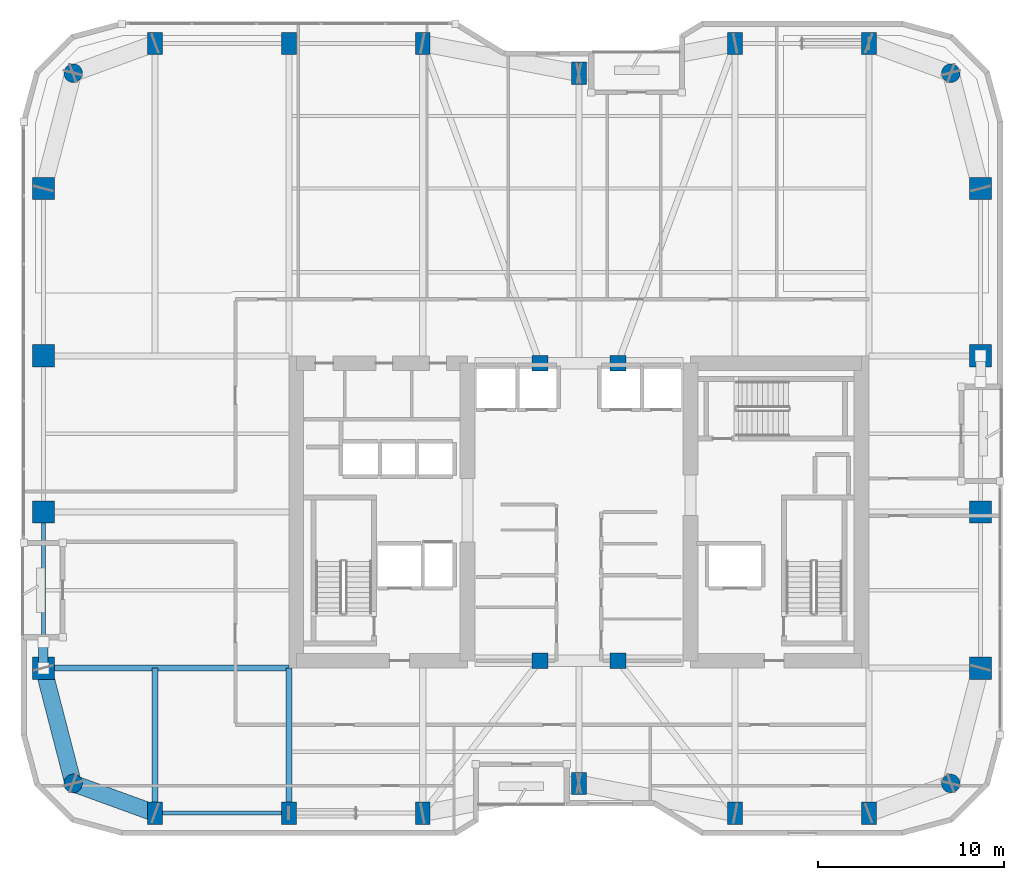
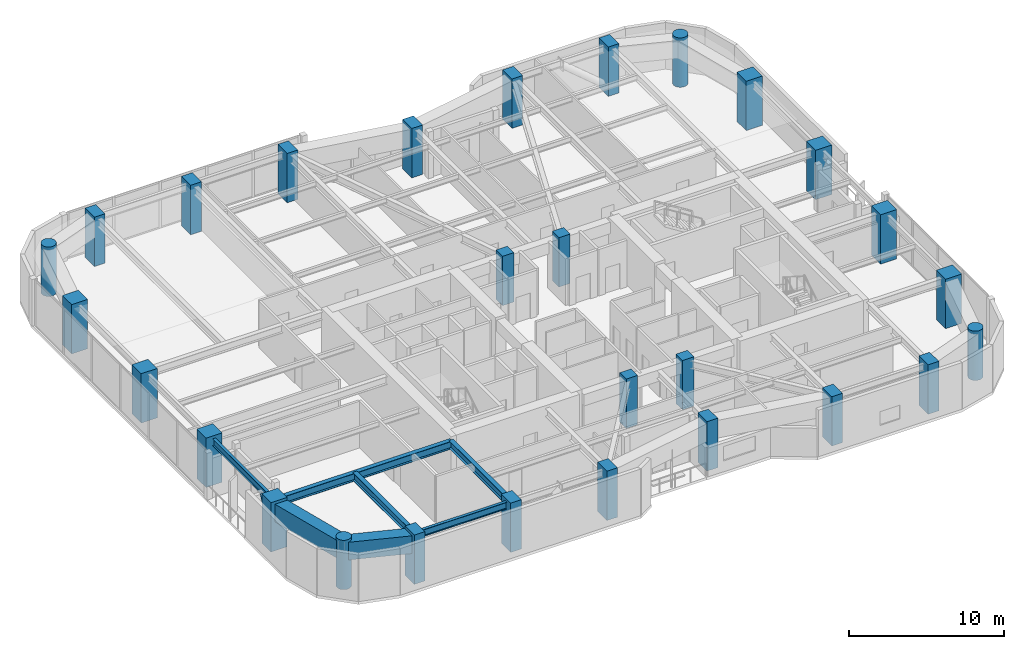
# One storey, part 1 of 30: 28 columns, 7 beams, 1 member.
"""IFC4 building model written with IfcOpenShell, lengths in metres."""

from ifc_helpers import new_model, si_unit, direction, frame, origin, origin_2d, place, context, subcontext, project, spatial, rectangle, hollow_rectangle, circle, hollow_circle, i_section, extrude, material, material_profile, profile_set, type_object, element, save


model = new_model("IFC4")

# Units and contexts
model_context = context("Model", 3, precision=1e-05, world=origin(), true_north=direction((0.0, 1.0)))
body_context = subcontext(model_context, "Body", "Model", "MODEL_VIEW")
ifc_project = project(units=[si_unit("LENGTHUNIT", "METRE"), si_unit("AREAUNIT", "SQUARE_METRE"), si_unit("VOLUMEUNIT", "CUBIC_METRE"), si_unit("PLANEANGLEUNIT", "RADIAN"), si_unit("MASSUNIT", "GRAM", prefix="KILO")], contexts=[model_context])

# Site, building, storey
site_placement = place(None, origin())
site = spatial("IfcSite", under=ifc_project, at=site_placement, CompositionType="ELEMENT")
building_placement = place(site_placement, origin())
building = spatial("IfcBuilding", under=site, at=building_placement, Name="Kiyonajd Concourse Tower", CompositionType="ELEMENT")
storey_placement = place(building_placement, frame((0.0, 0.0, 174.0)))
storey = spatial("IfcBuildingStorey", under=building, at=storey_placement, Name="L44", CompositionType="ELEMENT", Elevation=174.0)

# Columns
ifc_material_1 = material(Name="Concrete C70/85", Category="concrete")
ifc_material_profile_1 = material_profile(ifc_material_1, rectangle(XDim=0.800048828125, YDim=1.199951171875, at=origin_2d()), Name="RC-1200x800")
ifc_profile_set_1 = profile_set([ifc_material_profile_1], Name="Concrete C70/85")
column_type_1 = type_object("IfcColumnType", Name="CL-BLADE-1200", PredefinedType="COLUMN", material=ifc_profile_set_1)
for number, where, z_axis, x_axis, name in (
    (1, (25.199951171875, 19.800048828125, 0.0), (0.0, 0.0, 1.0), (1.0, 0.0, 0.0), "L44 Perimeter Bundled Tube Column"),
    (2, (25.199951171875, 61.199951171875, 0.0), (0.0, 0.0, 1.0), (1.0, 0.0, 0.0), "L44 Perimeter Bundled Tube Column"),
    (3, (32.39990234375, 19.800048828125, 0.0), (0.0, 0.0, 1.0), (1.0, 0.0, 0.0), "L44 Perimeter Bundled Tube Column"),
    (4, (32.39990234375, 61.199951171875, 0.0), (0.0, 0.0, 1.0), (1.0, 0.0, 0.0), "L44 Perimeter Bundled Tube Column"),
    (5, (39.60009765625, 19.800048828125, 0.0), (0.0, 0.0, 1.0), (1.0, 0.0, 0.0), "L44 Perimeter Bundled Tube Column"),
    (6, (39.60009765625, 61.199951171875, 0.0), (0.0, 0.0, 1.0), (1.0, 0.0, 0.0), "L44 Perimeter Bundled Tube Column"),
    (7, (48.0, 21.39990234375, 0.0), (0.0, 0.0, 1.0), (1.0, 0.0, 0.0), "L44 Perimeter Bundled Tube Column"),
    (8, (48.0, 59.60009765625, 0.0), (0.0, 0.0, 1.0), (1.0, 0.0, 0.0), "L44 Perimeter Bundled Tube Column"),
    (9, (56.39990234375, 19.800048828125, 0.0), (0.0, 0.0, 1.0), (1.0, 0.0, 0.0), "L44 Perimeter Bundled Tube Column"),
    (10, (56.39990234375, 61.199951171875, 0.0), (0.0, 0.0, 1.0), (1.0, 0.0, 0.0), "L44 Perimeter Bundled Tube Column"),
    (11, (63.60009765625, 19.800048828125, 0.0), (0.0, 0.0, 1.0), (1.0, 0.0, 0.0), "L44 Perimeter Bundled Tube Column"),
    (12, (63.60009765625, 61.199951171875, 0.0), (0.0, 0.0, 1.0), (1.0, 0.0, 0.0), "L44 Perimeter Bundled Tube Column"),
):
    element("IfcColumn", number, at=place(storey_placement, frame(where, z_axis=z_axis, x_axis=x_axis)), inside=storey, type_object=column_type_1, Name=name, PredefinedType="COLUMN", context=body_context, shape_type="SweptSolid", body=[
        extrude(rectangle(XDim=0.800048828125, YDim=1.199951171875, at=origin_2d()), origin(), (0.0, 0.0, 1.0), 3.89990234375),
    ])
ifc_material_2 = material(Name="Concrete C60/75", Category="concrete")
ifc_material_profile_2 = material_profile(ifc_material_2, circle(Radius=0.5, at=origin_2d()), Name="RCC-D1000")
ifc_profile_set_2 = profile_set([ifc_material_profile_2], Name="Concrete C60/75")
column_type_2 = type_object("IfcColumnType", Name="CL-RND-1000", PredefinedType="COLUMN", material=ifc_profile_set_2)
for number, where, z_axis, x_axis, name in (
    (13, (20.800048828125, 21.39990234375, 0.0), (0.0, 0.0, 1.0), (1.0, 0.0, 0.0), "L44 Bundled Tube Corner Column South West"),
    (14, (68.0, 21.39990234375, 0.0), (0.0, 0.0, 1.0), (1.0, 0.0, 0.0), "L44 Bundled Tube Corner Column South East"),
    (15, (68.0, 59.60009765625, 0.0), (0.0, 0.0, 1.0), (1.0, 0.0, 0.0), "L44 Bundled Tube Corner Column North East"),
    (16, (20.800048828125, 59.60009765625, 0.0), (0.0, 0.0, 1.0), (1.0, 0.0, 0.0), "L44 Bundled Tube Corner Column North West"),
):
    element("IfcColumn", number, at=place(storey_placement, frame(where, z_axis=z_axis, x_axis=x_axis)), inside=storey, type_object=column_type_2, Name=name, PredefinedType="COLUMN", context=body_context, shape_type="SweptSolid", body=[
        extrude(circle(Radius=0.5, at=origin_2d()), origin(), (0.0, 0.0, 1.0), 3.89990234375),
    ])
ifc_material_profile_3 = material_profile(ifc_material_1, rectangle(XDim=1.199951171875, YDim=1.199951171875, at=origin_2d()), Name="RC-1200x1200")
ifc_profile_set_3 = profile_set([ifc_material_profile_3], Name="Concrete C70/85")
column_type_3 = type_object("IfcColumnType", Name="CL-TUBE-1200", PredefinedType="COLUMN", material=ifc_profile_set_3)
for number, where, z_axis, x_axis, name in (
    (17, (19.199951171875, 27.60009765625, 0.0), (0.0, 0.0, 1.0), (1.0, 0.0, 0.0), "L44 Perimeter Bundled Tube Column"),
    (18, (69.60009765625, 27.60009765625, 0.0), (0.0, 0.0, 1.0), (1.0, 0.0, 0.0), "L44 Perimeter Bundled Tube Column"),
    (19, (19.199951171875, 36.0, 0.0), (0.0, 0.0, 1.0), (1.0, 0.0, 0.0), "L44 Perimeter Bundled Tube Column"),
    (20, (69.60009765625, 36.0, 0.0), (0.0, 0.0, 1.0), (1.0, 0.0, 0.0), "L44 Perimeter Bundled Tube Column"),
    (21, (19.199951171875, 44.39990234375, 0.0), (0.0, 0.0, 1.0), (1.0, 0.0, 0.0), "L44 Perimeter Bundled Tube Column"),
    (22, (69.60009765625, 44.39990234375, 0.0), (0.0, 0.0, 1.0), (1.0, 0.0, 0.0), "L44 Perimeter Bundled Tube Column"),
    (23, (19.199951171875, 53.39990234375, 0.0), (0.0, 0.0, 1.0), (1.0, 0.0, 0.0), "L44 Perimeter Bundled Tube Column"),
    (24, (69.60009765625, 53.39990234375, 0.0), (0.0, 0.0, 1.0), (1.0, 0.0, 0.0), "L44 Perimeter Bundled Tube Column"),
):
    element("IfcColumn", number, at=place(storey_placement, frame(where, z_axis=z_axis, x_axis=x_axis)), inside=storey, type_object=column_type_3, Name=name, PredefinedType="COLUMN", context=body_context, shape_type="SweptSolid", body=[
        extrude(rectangle(XDim=1.199951171875, YDim=1.199951171875, at=origin_2d()), origin(), (0.0, 0.0, 1.0), 3.89990234375),
    ])
ifc_material_profile_4 = material_profile(ifc_material_2, rectangle(XDim=0.85009765625, YDim=0.85009765625, at=origin_2d()), Name="RC-850x850")
ifc_profile_set_4 = profile_set([ifc_material_profile_4], Name="Concrete C60/75")
column_type_4 = type_object("IfcColumnType", Name="CL-TUBE-850", PredefinedType="COLUMN", material=ifc_profile_set_4)
for number, where, z_axis, x_axis, name in (
    (25, (45.89990234375, 28.0, 0.0), (0.0, 0.0, 1.0), (1.0, 0.0, 0.0), "L44 Core Tie Column South West"),
    (26, (50.10009765625, 28.0, 0.0), (0.0, 0.0, 1.0), (1.0, 0.0, 0.0), "L44 Core Tie Column South East"),
    (27, (45.89990234375, 44.0, 0.0), (0.0, 0.0, 1.0), (1.0, 0.0, 0.0), "L44 Core Tie Column North West"),
    (28, (50.10009765625, 44.0, 0.0), (0.0, 0.0, 1.0), (1.0, 0.0, 0.0), "L44 Core Tie Column North East"),
):
    element("IfcColumn", number, at=place(storey_placement, frame(where, z_axis=z_axis, x_axis=x_axis)), inside=storey, type_object=column_type_4, Name=name, PredefinedType="COLUMN", context=body_context, shape_type="SweptSolid", body=[
        extrude(rectangle(XDim=0.85009765625, YDim=0.85009765625, at=origin_2d()), origin(), (0.0, 0.0, 1.0), 3.89990234375),
    ])

# Beams
ifc_material_3 = material(Name="Steel ASTM A992 Grade 50", Category="steel")
ifc_material_profile_5 = material_profile(ifc_material_3, i_section(OverallWidth=0.214111328125, OverallDepth=0.549072265625, WebThickness=0.0146484375, FlangeThickness=0.023681640625, at=origin_2d()), Name="W530X138")
ifc_profile_set_5 = profile_set([ifc_material_profile_5], Name="Steel ASTM A992 Grade 50")
beam_type_1 = type_object("IfcBeamType", Name="BM-SPAN-530A", PredefinedType="SPANDREL", material=ifc_profile_set_5)
beam_1_placement = place(storey_placement, frame((25.199951171875, 19.800048828125, 3.405517578125), z_axis=(1.0, 0.0, 0.0), x_axis=(0.0, 1.0, 0.0)))
element("IfcBeam", 29, at=beam_1_placement, inside=storey, type_object=beam_type_1, Name="L44 Perimeter Bundled Tube Spandrel", PredefinedType="SPANDREL", context=body_context, shape_type="SweptSolid", body=[
    extrude(i_section(OverallWidth=0.214111328125, OverallDepth=0.549072265625, WebThickness=0.0146484375, FlangeThickness=0.023681640625, at=origin_2d()), origin(), (0.0, 0.0, 1.0), 7.199951171875),
])
beam_2_placement = place(storey_placement, frame((19.199951171875, 36.0, 3.405517578125), z_axis=(0.0, -1.0, 0.0), x_axis=(1.0, 0.0, 0.0)))
element("IfcBeam", 30, at=beam_2_placement, inside=storey, type_object=beam_type_1, Name="L44 Perimeter Bundled Tube Spandrel", PredefinedType="SPANDREL", context=body_context, shape_type="SweptSolid", body=[
    extrude(i_section(OverallWidth=0.214111328125, OverallDepth=0.549072265625, WebThickness=0.0146484375, FlangeThickness=0.023681640625, at=origin_2d()), origin(), (0.0, 0.0, 1.0), 8.39990234375),
])
ifc_material_profile_6 = material_profile(ifc_material_3, i_section(OverallWidth=0.326904296875, OverallDepth=0.6220703125, WebThickness=0.015380859375, FlangeThickness=0.0244140625, at=origin_2d()), Name="W610X195")
ifc_profile_set_6 = profile_set([ifc_material_profile_6], Name="Steel ASTM A992 Grade 50")
beam_type_2 = type_object("IfcBeamType", Name="BM-TWR-610A", PredefinedType="BEAM", material=ifc_profile_set_6)
for number, where, z_axis, x_axis, name in (
    (31, (25.199951171875, 19.800048828125, 3.368896484375), (0.0, 1.0, 0.0), (-1.0, 0.0, 0.0), "L44 South Lease Girder"),
    (32, (32.39990234375, 19.800048828125, 3.368896484375), (0.0, 1.0, 0.0), (-1.0, 0.0, 0.0), "L44 South Lease Girder"),
):
    element("IfcBeam", number, at=place(storey_placement, frame(where, z_axis=z_axis, x_axis=x_axis)), inside=storey, type_object=beam_type_2, Name=name, PredefinedType="BEAM", context=body_context, shape_type="SweptSolid", body=[
        extrude(i_section(OverallWidth=0.326904296875, OverallDepth=0.6220703125, WebThickness=0.015380859375, FlangeThickness=0.0244140625, at=origin_2d()), origin(), (0.0, 0.0, 1.0), 7.800048828125),
    ])
beam_3_placement = place(storey_placement, frame((19.199951171875, 27.60009765625, 3.368896484375), z_axis=(1.0, 0.0, 0.0), x_axis=(0.0, 1.0, 0.0)))
element("IfcBeam", 33, at=beam_3_placement, inside=storey, type_object=beam_type_2, Name="L44 West Lease Girder", PredefinedType="BEAM", context=body_context, shape_type="SweptSolid", body=[
    extrude(i_section(OverallWidth=0.326904296875, OverallDepth=0.6220703125, WebThickness=0.015380859375, FlangeThickness=0.0244140625, at=origin_2d()), origin(), (0.0, 0.0, 1.0), 13.199951171875),
])
ifc_material_4 = material(Name="Steel ASTM A572 Grade 50", Category="steel")
ifc_material_profile_7 = material_profile(ifc_material_4, hollow_rectangle(XDim=0.89990234375, YDim=1.39990234375, WallThickness=0.070068359375, at=origin_2d()), Name="BOX-1400x900x70")
ifc_profile_set_7 = profile_set([ifc_material_profile_7], Name="Steel ASTM A572 Grade 50")
beam_type_3 = type_object("IfcBeamType", Name="BM-XFER-1400", PredefinedType="BEAM", material=ifc_profile_set_7)
beam_4_placement = place(storey_placement, frame((19.199951171875, 27.60009765625, 2.97998046875), z_axis=(0.249884937687, -0.968275538221, 0.0), x_axis=(0.968275538221, 0.249884937687, 0.0)))
element("IfcBeam", 34, at=beam_4_placement, inside=storey, type_object=beam_type_3, Name="L44 Perimeter Bundled Tube Spandrel", PredefinedType="BEAM", context=body_context, shape_type="SweptSolid", body=[
    extrude(hollow_rectangle(XDim=0.89990234375, YDim=1.39990234375, WallThickness=0.070068359375, at=origin_2d()), origin(), (0.0, 0.0, 1.0), 6.4033203125),
])
beam_5_placement = place(storey_placement, frame((20.800048828125, 21.39990234375, 2.97998046875), z_axis=(0.939801036019, -0.341722127901, 0.0), x_axis=(0.341722127901, 0.939801036019, 0.0)))
element("IfcBeam", 35, at=beam_5_placement, inside=storey, type_object=beam_type_3, Name="L44 Perimeter Bundled Tube Spandrel", PredefinedType="BEAM", context=body_context, shape_type="SweptSolid", body=[
    extrude(hollow_rectangle(XDim=0.89990234375, YDim=1.39990234375, WallThickness=0.070068359375, at=origin_2d()), origin(), (0.0, 0.0, 1.0), 4.681640625),
])

# Member
ifc_material_5 = material(Name="Steel ASTM A500 Grade C", Category="steel")
ifc_material_profile_8 = material_profile(ifc_material_5, hollow_circle(Radius=0.25390625, WallThickness=0.02197265625, at=origin_2d()), Name="CHS-508x22")
ifc_profile_set_8 = profile_set([ifc_material_profile_8], Name="Steel ASTM A500 Grade C")
member_type = type_object("IfcMemberType", Name="MB-PB-MID", PredefinedType="BRACE", material=ifc_profile_set_8)
member_placement = place(storey_placement, frame((19.199951171875, 27.60009765625, 0.300048828125), z_axis=(0.0, 0.419410666774, 0.907796614114), x_axis=(-1.0, 0.0, 0.0)))
element("IfcMember", 36, at=member_placement, inside=storey, type_object=member_type, Name="L44 Upper Zone Hollow Tube Brace PBW", PredefinedType="BRACE", context=body_context, shape_type="SweptSolid", body=[
    extrude(hollow_circle(Radius=0.25390625, WallThickness=0.02197265625, at=origin_2d()), origin(), (0.0, 0.0, 1.0), 3.337890625),
])

save(model, "model.ifc")
